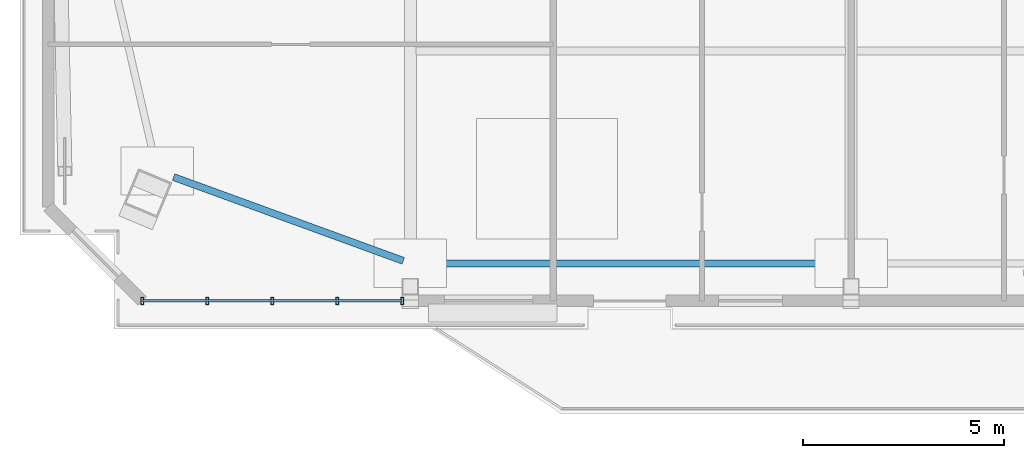
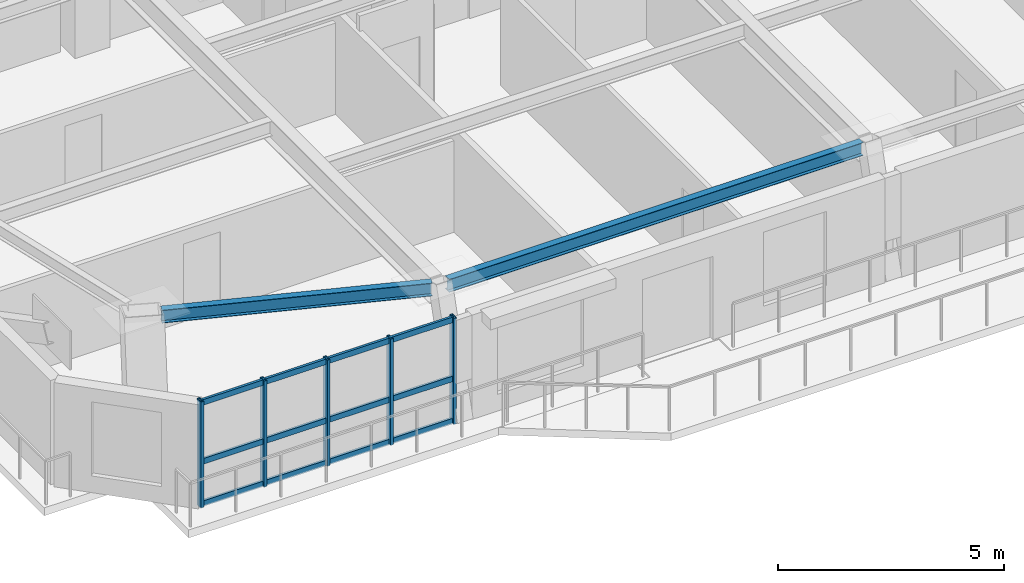
# One storey, part 2 of 14: 8 members, 2 beams, 1 element without a shape of its own.
"""IFC4 building model written with IfcOpenShell, lengths in metres."""

from ifc_helpers import new_model, si_unit, direction, frame, origin, origin_2d, place, context, subcontext, project, spatial, hollow_rectangle, i_section, extrude, source, transform, mapped, material, layer, layer_set, material_profile, profile_set, type_object, element, aggregate, save


model = new_model("IFC4")

# Units and contexts
model_context = context("Model", 3, precision=1e-05, world=origin(), true_north=direction((0.0, 1.0)))
body_context = subcontext(model_context, "Body", "Model", "MODEL_VIEW")
ifc_project = project(units=[si_unit("LENGTHUNIT", "METRE"), si_unit("AREAUNIT", "SQUARE_METRE"), si_unit("VOLUMEUNIT", "CUBIC_METRE"), si_unit("PLANEANGLEUNIT", "RADIAN"), si_unit("MASSUNIT", "GRAM", prefix="KILO")], contexts=[model_context])

# Site, building, storey
site_placement = place(None, origin())
site = spatial("IfcSite", under=ifc_project, at=site_placement, CompositionType="ELEMENT")
building_placement = place(site_placement, origin())
building = spatial("IfcBuilding", under=site, at=building_placement, Name="Giltprow Tower", CompositionType="ELEMENT")
storey_placement = place(building_placement, frame((0.0, 0.0, 321.0)))
storey = spatial("IfcBuildingStorey", under=building, at=storey_placement, Name="L83", CompositionType="ELEMENT", Elevation=321.0)

# Beams
ifc_material_1 = material(Name="Structural steel Q355B", Category="steel")
ifc_material_profile_1 = material_profile(ifc_material_1, i_section(OverallWidth=0.175048828125, OverallDepth=0.35009765625, WebThickness=0.007080078125, FlangeThickness=0.010986328125, at=origin_2d()), Name="HN 350x175x7x11")
ifc_profile_set_1 = profile_set([ifc_material_profile_1], Name="Structural steel Q355B")
beam_type = type_object("IfcBeamType", Name="BM-SPAN-HN350", PredefinedType="SPANDREL", material=ifc_profile_set_1)
shared_shape_1 = source(origin(), body_context, "Body", "SweptSolid", [
    extrude(i_section(OverallWidth=0.175048828125, OverallDepth=0.35009765625, WebThickness=0.007080078125, FlangeThickness=0.010986328125, at=origin_2d()), origin(), (0.0, 0.0, 1.0), 10.580078125),
])
beam_1_placement = place(storey_placement, frame((20.034912109375, 21.635986328125, 3.010009765625), z_axis=(1.0, 0.0, 0.0), x_axis=(0.0, 1.0, 0.0)))
element("IfcBeam", 1, at=beam_1_placement, inside=storey, type_object=beam_type, Name="L83 Perimeter Spandrel Beam S1-S2", PredefinedType="SPANDREL", context=body_context, shape_type="MappedRepresentation", body=[
    mapped(shared_shape_1, transform((0.0, 0.0, 0.0), x_axis=(1.0, 0.0, 0.0), y_axis=(0.0, 1.0, 0.0), z_axis=(0.0, 0.0, 1.0), scale=1.0)),
])
shared_shape_2 = source(origin(), body_context, "Body", "SweptSolid", [
    extrude(i_section(OverallWidth=0.175048828125, OverallDepth=0.35009765625, WebThickness=0.007080078125, FlangeThickness=0.010986328125, at=origin_2d()), origin(), (0.0, 0.0, 1.0), 6.072509765625),
])
beam_2_placement = place(storey_placement, frame((13.970947265625, 23.779052734375, 3.010009765625), z_axis=(0.939501965711, -0.342543510265, 0.0), x_axis=(0.342543510265, 0.939501965711, 0.0)))
element("IfcBeam", 2, at=beam_2_placement, inside=storey, type_object=beam_type, Name="L83 Perimeter Spandrel Beam MC_SW-S1", PredefinedType="SPANDREL", context=body_context, shape_type="MappedRepresentation", body=[
    mapped(shared_shape_2, transform((0.0, 0.0, 0.0), x_axis=(1.0, 0.0, 0.0), y_axis=(0.0, 1.0, 0.0), z_axis=(0.0, 0.0, 1.0), scale=1.0)),
])

# Curtain wall, members
ifc_material_2 = material(Name="Anodized bronze", Category="metal")
ifc_layer = layer(ifc_material_2, 0.179931640625, Name="Anodized bronze")
ifc_layer_set = layer_set([ifc_layer], Name="Anodized bronze")
curtain_wall_type = type_object("IfcCurtainWallType", Name="CW-RES-SKY", PredefinedType="NOTDEFINED", material=ifc_layer_set)
curtain_wall_placement = place(storey_placement, origin())
curtain_wall = element("IfcCurtainWall", 3, at=curtain_wall_placement, inside=storey, type_object=curtain_wall_type, Name="L83 South Recessed Curtain Wall 1", PredefinedType="NOTDEFINED")
ifc_material_profile_2 = material_profile(ifc_material_2, hollow_rectangle(XDim=0.074951171875, YDim=0.179931640625, WallThickness=0.008056640625, at=origin_2d()), Name="RHS 180x75x8")
ifc_profile_set_2 = profile_set([ifc_material_profile_2], Name="Anodized bronze")
member_type_1 = type_object("IfcMemberType", Name="CW-MULLION-180x75", PredefinedType="MULLION", material=ifc_profile_set_2)
shared_shape_3 = source(origin(), body_context, "Body", "SweptSolid", [
    extrude(hollow_rectangle(XDim=0.074951171875, YDim=0.179931640625, WallThickness=0.008056640625, at=origin_2d()), origin(), (0.0, 0.0, 1.0), 2.8701171875),
])
member_1_placement = place(storey_placement, frame((13.193115234375, 20.7041015625, -0.02001953125), z_axis=(0.0, 0.0, 1.0), x_axis=(1.0, 0.0, 0.0)))
member_1 = element("IfcMember", 4, at=member_1_placement, type_object=member_type_1, Name="L83 South Recessed Curtain Wall 1 Mullion 1", PredefinedType="MULLION", context=body_context, shape_type="MappedRepresentation", body=[
    mapped(shared_shape_3, transform((0.0, 0.0, 0.0), x_axis=(1.0, 0.0, 0.0), y_axis=(0.0, 1.0, 0.0), z_axis=(0.0, 0.0, 1.0), scale=1.0)),
])
member_2_placement = place(storey_placement, frame((14.806884765625, 20.7041015625, -0.02001953125), z_axis=(0.0, 0.0, 1.0), x_axis=(1.0, 0.0, 0.0)))
member_2 = element("IfcMember", 5, at=member_2_placement, type_object=member_type_1, Name="L83 South Recessed Curtain Wall 1 Mullion 2", PredefinedType="MULLION", context=body_context, shape_type="MappedRepresentation", body=[
    mapped(shared_shape_3, transform((0.0, 0.0, 0.0), x_axis=(1.0, 0.0, 0.0), y_axis=(0.0, 1.0, 0.0), z_axis=(0.0, 0.0, 1.0), scale=1.0)),
])
member_3_placement = place(storey_placement, frame((16.4208984375, 20.7041015625, -0.02001953125), z_axis=(0.0, 0.0, 1.0), x_axis=(1.0, 0.0, 0.0)))
member_3 = element("IfcMember", 6, at=member_3_placement, type_object=member_type_1, Name="L83 South Recessed Curtain Wall 1 Mullion 3", PredefinedType="MULLION", context=body_context, shape_type="MappedRepresentation", body=[
    mapped(shared_shape_3, transform((0.0, 0.0, 0.0), x_axis=(1.0, 0.0, 0.0), y_axis=(0.0, 1.0, 0.0), z_axis=(0.0, 0.0, 1.0), scale=1.0)),
])
member_4_placement = place(storey_placement, frame((18.035888671875, 20.7041015625, -0.02001953125), z_axis=(0.0, 0.0, 1.0), x_axis=(1.0, 0.0, 0.0)))
member_4 = element("IfcMember", 7, at=member_4_placement, type_object=member_type_1, Name="L83 South Recessed Curtain Wall 1 Mullion 4", PredefinedType="MULLION", context=body_context, shape_type="MappedRepresentation", body=[
    mapped(shared_shape_3, transform((0.0, 0.0, 0.0), x_axis=(1.0, 0.0, 0.0), y_axis=(0.0, 1.0, 0.0), z_axis=(0.0, 0.0, 1.0), scale=1.0)),
])
member_5_placement = place(storey_placement, frame((19.64990234375, 20.7041015625, -0.02001953125), z_axis=(0.0, 0.0, 1.0), x_axis=(1.0, 0.0, 0.0)))
member_5 = element("IfcMember", 8, at=member_5_placement, type_object=member_type_1, Name="L83 South Recessed Curtain Wall 1 Mullion 5", PredefinedType="MULLION", context=body_context, shape_type="MappedRepresentation", body=[
    mapped(shared_shape_3, transform((0.0, 0.0, 0.0), x_axis=(1.0, 0.0, 0.0), y_axis=(0.0, 1.0, 0.0), z_axis=(0.0, 0.0, 1.0), scale=1.0)),
])
ifc_material_profile_3 = material_profile(ifc_material_2, hollow_rectangle(XDim=0.06494140625, YDim=0.14990234375, WallThickness=0.006103515625, at=origin_2d()), Name="RHS 150x65x6")
ifc_profile_set_3 = profile_set([ifc_material_profile_3], Name="Anodized bronze")
member_type_2 = type_object("IfcMemberType", Name="CW-TRANSOM-150x65", PredefinedType="USERDEFINED", material=ifc_profile_set_3)
shared_shape_4 = source(origin(), body_context, "Body", "SweptSolid", [
    extrude(hollow_rectangle(XDim=0.06494140625, YDim=0.14990234375, WallThickness=0.006103515625, at=origin_2d()), origin(), (0.0, 0.0, 1.0), 6.456787109375),
])
member_6_placement = place(storey_placement, frame((13.193115234375, 20.7041015625, 0.0400390625), z_axis=(1.0, 0.0, 0.0), x_axis=(0.0, 1.0, 0.0)))
member_6 = element("IfcMember", 9, at=member_6_placement, type_object=member_type_2, Name="L83 South Recessed Curtain Wall 1 Transom 1", ObjectType="TRANSOM", PredefinedType="USERDEFINED", context=body_context, shape_type="MappedRepresentation", body=[
    mapped(shared_shape_4, transform((0.0, 0.0, 0.0), x_axis=(1.0, 0.0, 0.0), y_axis=(0.0, 1.0, 0.0), z_axis=(0.0, 0.0, 1.0), scale=1.0)),
])
member_7_placement = place(storey_placement, frame((13.193115234375, 20.7041015625, 1.181884765625), z_axis=(1.0, 0.0, 0.0), x_axis=(0.0, 1.0, 0.0)))
member_7 = element("IfcMember", 10, at=member_7_placement, type_object=member_type_2, Name="L83 South Recessed Curtain Wall 1 Transom 2", ObjectType="TRANSOM", PredefinedType="USERDEFINED", context=body_context, shape_type="MappedRepresentation", body=[
    mapped(shared_shape_4, transform((0.0, 0.0, 0.0), x_axis=(1.0, 0.0, 0.0), y_axis=(0.0, 1.0, 0.0), z_axis=(0.0, 0.0, 1.0), scale=1.0)),
])
member_8_placement = place(storey_placement, frame((13.193115234375, 20.7041015625, 2.77490234375), z_axis=(1.0, 0.0, 0.0), x_axis=(0.0, 1.0, 0.0)))
member_8 = element("IfcMember", 11, at=member_8_placement, type_object=member_type_2, Name="L83 South Recessed Curtain Wall 1 Transom 3", ObjectType="TRANSOM", PredefinedType="USERDEFINED", context=body_context, shape_type="MappedRepresentation", body=[
    mapped(shared_shape_4, transform((0.0, 0.0, 0.0), x_axis=(1.0, 0.0, 0.0), y_axis=(0.0, 1.0, 0.0), z_axis=(0.0, 0.0, 1.0), scale=1.0)),
])
aggregate(curtain_wall, [member_1, member_2, member_3, member_4, member_5, member_6, member_7, member_8])

save(model, "model.ifc")
